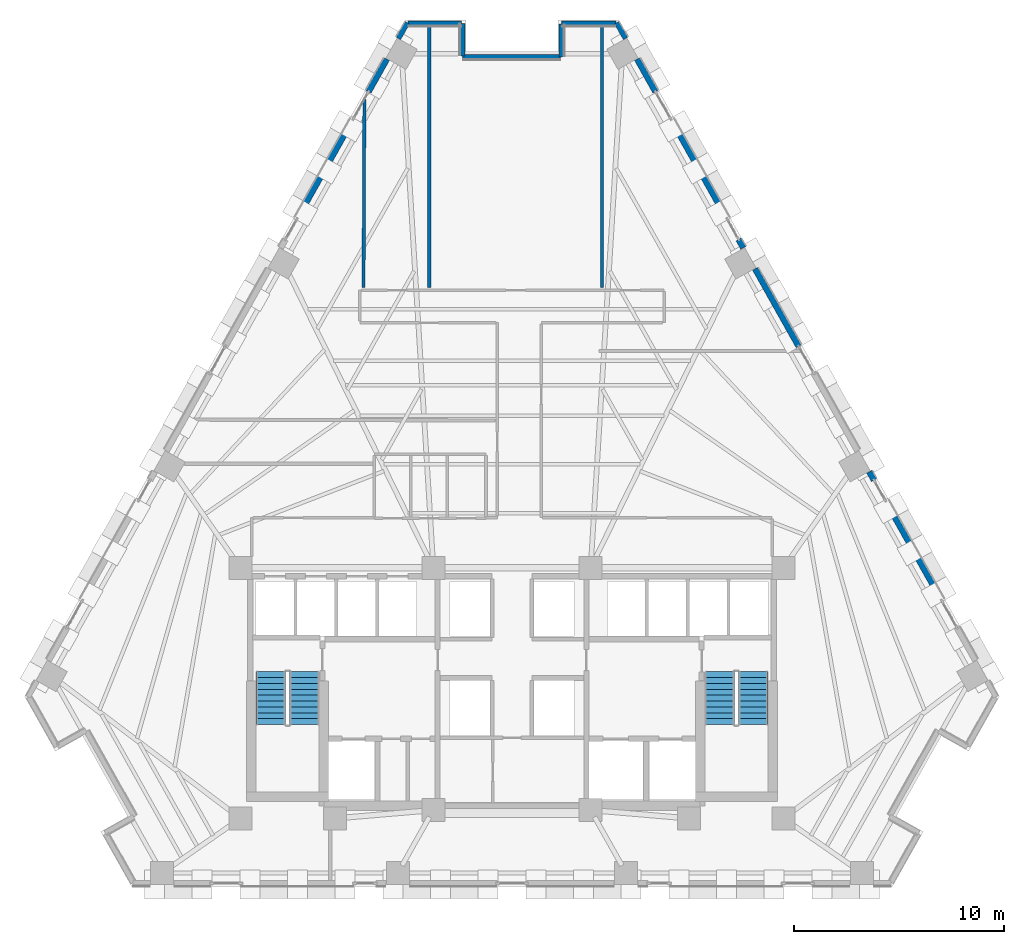
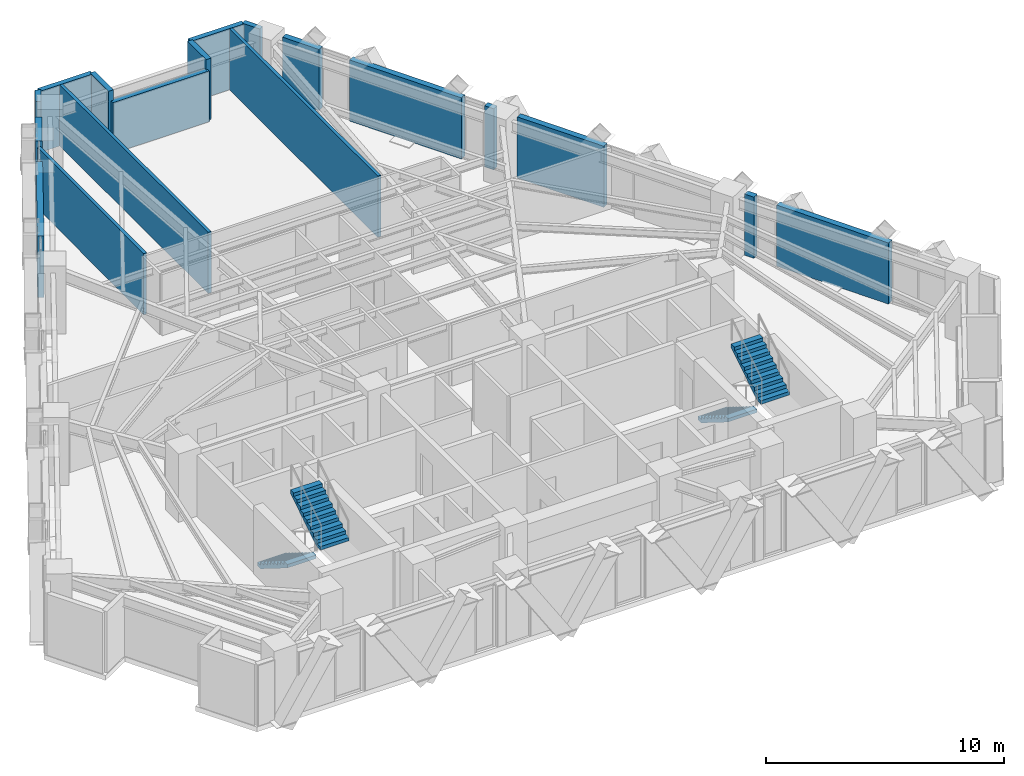
# One storey, part 9 of 13: 18 walls, 4 stair flights, 2 elements without a shape of their own.
"""IFC4 building model written with IfcOpenShell, lengths in metres."""

from ifc_helpers import new_model, si_unit, direction, frame, frame_2d, origin, place, context, subcontext, project, spatial, polyline, rectangle, outline, extrude, material, layer, layer_set, type_object, element, aggregate, save


model = new_model("IFC4")

# Units and contexts
model_context = context("Model", 3, precision=1e-05, world=origin(), true_north=direction((0.0, 1.0)))
body_context = subcontext(model_context, "Body", "Model", "MODEL_VIEW")
ifc_project = project(units=[si_unit("LENGTHUNIT", "METRE"), si_unit("AREAUNIT", "SQUARE_METRE"), si_unit("VOLUMEUNIT", "CUBIC_METRE"), si_unit("PLANEANGLEUNIT", "RADIAN"), si_unit("MASSUNIT", "GRAM", prefix="KILO")], contexts=[model_context])

# Site, building, storey
site_placement = place(None, origin())
site = spatial("IfcSite", under=ifc_project, at=site_placement, CompositionType="ELEMENT")
building_placement = place(site_placement, origin())
building = spatial("IfcBuilding", under=site, at=building_placement, Name="Quenlor Broadcast Tower", CompositionType="ELEMENT")
storey_placement = place(building_placement, frame((0.0, 0.0, 87.10009765625)))
storey = spatial("IfcBuildingStorey", under=building, at=storey_placement, Name="L23", CompositionType="ELEMENT", Elevation=87.10009765625)

# Walls
ifc_material_1 = material(Name="Acoustic Double Stud Gypsum Partition", Category="other")
ifc_layer_1 = layer(ifc_material_1, 0.14990234375)
ifc_layer_set_1 = layer_set([ifc_layer_1], Name="Broadcast Studio Acoustic Partition 150")
wall_type_1 = type_object("IfcWallType", Name="Broadcast Studio Acoustic Partition 150", PredefinedType="PARTITIONING", material=ifc_layer_set_1)
for number, where, z_axis, x_axis, name in (
    (1, (-3.945068359375, 8.56005859375, 0.0), (0.0, 0.0, 1.0), (0.0, 1.0, 0.0), "L23 Interior Wall PW-DV-01"),
    (2, (4.294921875, 21.0458984375, 0.0), (0.0, 0.0, 1.0), (0.0, -1.0, 0.0), "L23 Interior Wall PW-DV-02"),
):
    element("IfcWall", number, at=place(storey_placement, frame(where, z_axis=z_axis, x_axis=x_axis)), inside=storey, type_object=wall_type_1, Name=name, PredefinedType="PARTITIONING", context=body_context, shape_type="SweptSolid", body=[
        extrude(rectangle(XDim=12.48583984375, YDim=0.14990234375, at=frame_2d((6.242919921875, 0.0))), origin(), (0.0, 0.0, 1.0), 3.139892578125),
    ])
wall_1_placement = place(storey_placement, frame((-7.079345703125, 8.56005859375, 0.0), z_axis=(0.0, 0.0, 1.0), x_axis=(0.004459021985, 0.999990058512, 0.0)))
element("IfcWall", 3, at=wall_1_placement, inside=storey, type_object=wall_type_1, Name="L23 Interior Wall PW-DV-03", PredefinedType="PARTITIONING", context=body_context, shape_type="SweptSolid", body=[
    extrude(rectangle(XDim=8.979248046875, YDim=0.14990234375, at=frame_2d((4.48974609375, 0.0))), origin(), (0.0, 0.0, 1.0), 3.139892578125),
])
ifc_material_2 = material(Name="Precast concrete C40/50", Category="concrete")
ifc_layer_2 = layer(ifc_material_2, 0.239990234375)
ifc_layer_set_2 = layer_set([ifc_layer_2], Name="Terrace Threshold Precast Concrete C40/50 Wall 240")
wall_type_2 = type_object("IfcWallType", Name="Terrace Threshold Precast Concrete C40/50 Wall 240", PredefinedType="STANDARD", material=ifc_layer_set_2)
for number, where, z_axis, x_axis, name in (
    (4, (4.992919921875, 21.197265625, 0.0), (0.0, 0.0, 1.0), (0.490355003566, -0.871522788272, 0.0), "L23 Exterior Wall L23-SHD-NES0"),
    (5, (-5.417236328125, 20.443115234375, 0.0), (0.0, 0.0, 1.0), (0.490355003566, 0.871522788272, 0.0), "L23 Exterior Wall L23-SHD-NWS1"),
):
    element("IfcWall", number, at=place(storey_placement, frame(where, z_axis=z_axis, x_axis=x_axis)), inside=storey, type_object=wall_type_2, Name=name, PredefinedType="STANDARD", context=body_context, shape_type="SweptSolid", body=[
        extrude(rectangle(XDim=0.865234375, YDim=0.239990234375, at=frame_2d((0.4326171875, 0.0))), origin(), (0.0, 0.0, 1.0), 3.139892578125),
    ])
wall_2_placement = place(storey_placement, frame((4.95947265625, 21.16796875, 0.0), z_axis=(0.0, 0.0, 1.0), x_axis=(-1.0, 0.0, 0.0)))
element("IfcWall", 6, at=wall_2_placement, inside=storey, type_object=wall_type_2, Name="L23 Exterior Wall L23-CNR-06", PredefinedType="STANDARD", context=body_context, shape_type="SweptSolid", body=[
    extrude(rectangle(XDim=2.599365234375, YDim=0.239990234375, at=frame_2d((1.2998046875, 0.0))), origin(), (0.0, 0.0, 1.0), 3.139892578125),
])
wall_3_placement = place(storey_placement, frame((2.360107421875, 21.1279296875, 0.0), z_axis=(0.0, 0.0, 1.0), x_axis=(0.0, -1.0, 0.0)))
element("IfcWall", 7, at=wall_3_placement, inside=storey, type_object=wall_type_2, Name="L23 Exterior Wall L23-CNR-07", PredefinedType="STANDARD", context=body_context, shape_type="SweptSolid", body=[
    extrude(rectangle(XDim=1.559814453125, YDim=0.239990234375, at=frame_2d((0.77978515625, 0.0))), origin(), (0.0, 0.0, 1.0), 3.139892578125),
])
wall_4_placement = place(storey_placement, frame((2.320068359375, 19.568115234375, 0.0), z_axis=(0.0, 0.0, 1.0), x_axis=(-1.0, 0.0, 0.0)))
element("IfcWall", 8, at=wall_4_placement, inside=storey, type_object=wall_type_2, Name="L23 Exterior Wall L23-CNR-08", PredefinedType="STANDARD", context=body_context, shape_type="SweptSolid", body=[
    extrude(rectangle(XDim=4.68017578125, YDim=0.239990234375, at=frame_2d((2.340087890625, 0.0))), origin(), (0.0, 0.0, 1.0), 2.61181640625),
])
wall_5_placement = place(storey_placement, frame((-2.360107421875, 19.60791015625, 0.0), z_axis=(0.0, 0.0, 1.0), x_axis=(0.0, 1.0, 0.0)))
element("IfcWall", 9, at=wall_5_placement, inside=storey, type_object=wall_type_2, Name="L23 Exterior Wall L23-CNR-09", PredefinedType="STANDARD", context=body_context, shape_type="SweptSolid", body=[
    extrude(rectangle(XDim=1.56005859375, YDim=0.239990234375, at=frame_2d((0.780029296875, 0.0))), origin(), (0.0, 0.0, 1.0), 3.139892578125),
])
wall_6_placement = place(storey_placement, frame((-2.39990234375, 21.16796875, 0.0), z_axis=(0.0, 0.0, 1.0), x_axis=(-1.0, 0.0, 0.0)))
element("IfcWall", 10, at=wall_6_placement, inside=storey, type_object=wall_type_2, Name="L23 Exterior Wall L23-CNR-10", PredefinedType="STANDARD", context=body_context, shape_type="SweptSolid", body=[
    extrude(rectangle(XDim=2.5595703125, YDim=0.239990234375, at=frame_2d((1.27978515625, 0.0))), origin(), (0.0, 0.0, 1.0), 3.139892578125),
])
ifc_material_3 = material(Name="Precast concrete C40/50", Category="concrete")
ifc_layer_3 = layer(ifc_material_3, 0.280029296875)
ifc_layer_set_3 = layer_set([ifc_layer_3], Name="Terracotta Precast Concrete C40/50 Facade Wall 280")
wall_type_3 = type_object("IfcWallType", Name="Terracotta Precast Concrete C40/50 Facade Wall 280", PredefinedType="STANDARD", material=ifc_layer_set_3)
wall_7_placement = place(storey_placement, frame((5.97119140625, 19.458251953125, 0.0), z_axis=(0.0, 0.0, 1.0), x_axis=(0.490248214463, -0.871582863654, 0.0)))
element("IfcWall", 11, at=wall_7_placement, inside=storey, type_object=wall_type_3, Name="L23 Exterior Wall L23-NEA-SP1", PredefinedType="STANDARD", context=body_context, shape_type="SweptSolid", body=[
    extrude(rectangle(XDim=1.77978515625, YDim=0.280029296875, at=frame_2d((0.889892578125, 0.0))), origin(), (0.0, 0.0, 1.0), 3.139892578125),
])
wall_8_placement = place(storey_placement, frame((7.574951171875, 16.607177734375, 0.0), z_axis=(0.0, 0.0, 1.0), x_axis=(0.490240051056, -0.87158745536, 0.0)))
element("IfcWall", 12, at=wall_8_placement, inside=storey, type_object=wall_type_3, Name="L23 Exterior Wall L23-NEA-SP2", PredefinedType="STANDARD", context=body_context, shape_type="SweptSolid", body=[
    extrude(rectangle(XDim=5.470458984375, YDim=0.280029296875, at=frame_2d((2.7353515625, 0.0))), origin(), (0.0, 0.0, 1.0), 3.139892578125),
])
for number, where, z_axis, x_axis, name in (
    (13, (10.806396484375, 10.862060546875, 0.0), (0.0, 0.0, 1.0), (0.490412424957, -0.871490478116, 0.0), "L23 Exterior Wall L23-NEA-SP3"),
    (14, (17.0390625, -0.218017578125, 0.0), (0.0, 0.0, 1.0), (0.490009165718, -0.871717280724, 0.0), "L23 Exterior Wall L23-NEC-SP1"),
):
    element("IfcWall", number, at=place(storey_placement, frame(where, z_axis=z_axis, x_axis=x_axis)), inside=storey, type_object=wall_type_3, Name=name, PredefinedType="STANDARD", context=body_context, shape_type="SweptSolid", body=[
        extrude(rectangle(XDim=0.4599609375, YDim=0.280029296875, at=frame_2d((0.22998046875, 0.0))), origin(), (0.0, 0.0, 1.0), 3.139892578125),
    ])
wall_9_placement = place(storey_placement, frame((17.814208984375, -1.595947265625, 0.0), z_axis=(0.0, 0.0, 1.0), x_axis=(0.490240051056, -0.87158745536, 0.0)))
element("IfcWall", 15, at=wall_9_placement, inside=storey, type_object=wall_type_3, Name="L23 Exterior Wall L23-NEC-SP2", PredefinedType="STANDARD", context=body_context, shape_type="SweptSolid", body=[
    extrude(rectangle(XDim=5.470458984375, YDim=0.280029296875, at=frame_2d((2.7353515625, 0.0))), origin(), (0.0, 0.0, 1.0), 3.139892578125),
])
wall_10_placement = place(storey_placement, frame((11.59326171875, 9.463134765625, 0.0), z_axis=(0.0, 0.0, 1.0), x_axis=(0.490280395622, -0.871564761603, 0.0)))
element("IfcWall", 16, at=wall_10_placement, inside=storey, type_object=wall_type_3, Name="L23 Exterior Wall L23-NE-SP1", PredefinedType="STANDARD", context=body_context, shape_type="SweptSolid", body=[
    extrude(rectangle(XDim=4.235595703125, YDim=0.280029296875, at=frame_2d((2.11767578125, 0.0))), origin(), (0.0, 0.0, 1.0), 3.139892578125),
])
wall_11_placement = place(storey_placement, frame((-10.2568359375, 11.839111328125, 0.0), z_axis=(0.0, 0.0, 1.0), x_axis=(0.490240051056, 0.87158745536, 0.0)))
element("IfcWall", 17, at=wall_11_placement, inside=storey, type_object=wall_type_3, Name="L23 Exterior Wall L23-NWC-SP2", PredefinedType="STANDARD", context=body_context, shape_type="SweptSolid", body=[
    extrude(rectangle(XDim=5.470458984375, YDim=0.280029296875, at=frame_2d((2.7353515625, 0.0))), origin(), (0.0, 0.0, 1.0), 3.139892578125),
])
wall_12_placement = place(storey_placement, frame((-6.84375, 17.906982421875, 0.0), z_axis=(0.0, 0.0, 1.0), x_axis=(0.490248214463, 0.871582863654, 0.0)))
element("IfcWall", 18, at=wall_12_placement, inside=storey, type_object=wall_type_3, Name="L23 Exterior Wall L23-NWC-SP3", PredefinedType="STANDARD", context=body_context, shape_type="SweptSolid", body=[
    extrude(rectangle(XDim=1.77978515625, YDim=0.280029296875, at=frame_2d((0.889892578125, 0.0))), origin(), (0.0, 0.0, 1.0), 3.139892578125),
])

# Stair, stair flights
ifc_material_4 = material(Name="Precast concrete C40/50", Category="concrete")
stair_type = type_object("IfcStairType", Name="Precast Concrete C40/50 Dogleg Stair H350", PredefinedType="HALF_TURN_STAIR", material=ifc_material_4)
stair_1_placement = place(storey_placement, origin())
stair_1 = element("IfcStair", 19, at=stair_1_placement, inside=storey, type_object=stair_type, Name="L23 West Core Fire-Isolated Exit Stair ST-1", PredefinedType="HALF_TURN_STAIR")
ifc_material_5 = material(Name="Precast concrete C40/50", Category="concrete")
ifc_layer_4 = layer(ifc_material_5, 0.159912109375)
ifc_layer_set_4 = layer_set([ifc_layer_4], Name="Precast Concrete C40/50 Stair Flight H350")
stair_flight_type = type_object("IfcStairFlightType", Name="Precast Concrete C40/50 Stair Flight H350", PredefinedType="STRAIGHT", material=ifc_layer_set_4)
stair_flight_1_placement = place(storey_placement, frame((-11.5, -9.75, 0.0), z_axis=(0.0, 0.0, 1.0), x_axis=(0.0, -1.0, 0.0)))
stair_flight_1 = element("IfcStairFlight", 20, at=stair_flight_1_placement, type_object=stair_flight_type, Name="ST-1 flight 1", NumberOfRisers=10, NumberOfTreads=9, PredefinedType="STRAIGHT", RiserHeight=0.175, TreadLength=0.28, context=body_context, shape_type="SweptSolid", body=[
    extrude(outline(polyline([(0.0, 0.0), (0.0, 0.175048828125), (0.280029296875, 0.175048828125), (0.280029296875, 0.35009765625), (0.56005859375, 0.35009765625), (0.56005859375, 0.52490234375), (0.840087890625, 0.52490234375), (0.840087890625, 0.699951171875), (1.1201171875, 0.699951171875), (1.1201171875, 0.875), (1.39990234375, 0.875), (1.39990234375, 1.050048828125), (1.679931640625, 1.050048828125), (1.679931640625, 1.22509765625), (1.9599609375, 1.22509765625), (1.9599609375, 1.39990234375), (2.239990234375, 1.39990234375), (2.239990234375, 1.574951171875), (2.52001953125, 1.574951171875), (2.52001953125, 1.75), (2.52001953125, 1.398193359375), (0.28271484375, 0.0), (0.0, 0.0)])), frame((0.0, 0.699951171875, 0.0), z_axis=(0.0, -1.0, 0.0), x_axis=(1.0, 0.0, 0.0)), (0.0, 0.0, 1.0), 1.39990234375),
])
stair_flight_2_placement = place(storey_placement, frame((-9.89990234375, -12.27001953125, 1.75), z_axis=(0.0, 0.0, 1.0), x_axis=(0.0, 1.0, 0.0)))
stair_flight_2 = element("IfcStairFlight", 21, at=stair_flight_2_placement, type_object=stair_flight_type, Name="ST-1 flight 2", NumberOfRisers=10, NumberOfTreads=9, PredefinedType="STRAIGHT", RiserHeight=0.175, TreadLength=0.28, context=body_context, shape_type="SweptSolid", body=[
    extrude(outline(polyline([(0.0, 0.0), (0.0, 0.175048828125), (0.280029296875, 0.175048828125), (0.280029296875, 0.35009765625), (0.56005859375, 0.35009765625), (0.56005859375, 0.52490234375), (0.840087890625, 0.52490234375), (0.840087890625, 0.699951171875), (1.1201171875, 0.699951171875), (1.1201171875, 0.875), (1.39990234375, 0.875), (1.39990234375, 1.050048828125), (1.679931640625, 1.050048828125), (1.679931640625, 1.22509765625), (1.9599609375, 1.22509765625), (1.9599609375, 1.39990234375), (2.239990234375, 1.39990234375), (2.239990234375, 1.574951171875), (2.52001953125, 1.574951171875), (2.52001953125, 1.75), (2.52001953125, 1.398193359375), (0.28271484375, 0.0), (0.0, 0.0)])), frame((0.0, 0.699951171875, 0.0), z_axis=(0.0, -1.0, 0.0), x_axis=(1.0, 0.0, 0.0)), (0.0, 0.0, 1.0), 1.39990234375),
])
aggregate(stair_1, [stair_flight_1, stair_flight_2])

stair_2_placement = place(storey_placement, origin())
stair_2 = element("IfcStair", 22, at=stair_2_placement, inside=storey, type_object=stair_type, Name="L23 East Core Fire-Isolated Exit Stair ST-2", PredefinedType="HALF_TURN_STAIR")
stair_flight_3_placement = place(storey_placement, frame((9.89990234375, -9.75, 0.0), z_axis=(0.0, 0.0, 1.0), x_axis=(0.0, -1.0, 0.0)))
stair_flight_3 = element("IfcStairFlight", 23, at=stair_flight_3_placement, type_object=stair_flight_type, Name="ST-2 flight 1", NumberOfRisers=10, NumberOfTreads=9, PredefinedType="STRAIGHT", RiserHeight=0.175, TreadLength=0.28, context=body_context, shape_type="SweptSolid", body=[
    extrude(outline(polyline([(0.0, 0.0), (0.0, 0.175048828125), (0.280029296875, 0.175048828125), (0.280029296875, 0.35009765625), (0.56005859375, 0.35009765625), (0.56005859375, 0.52490234375), (0.840087890625, 0.52490234375), (0.840087890625, 0.699951171875), (1.1201171875, 0.699951171875), (1.1201171875, 0.875), (1.39990234375, 0.875), (1.39990234375, 1.050048828125), (1.679931640625, 1.050048828125), (1.679931640625, 1.22509765625), (1.9599609375, 1.22509765625), (1.9599609375, 1.39990234375), (2.239990234375, 1.39990234375), (2.239990234375, 1.574951171875), (2.52001953125, 1.574951171875), (2.52001953125, 1.75), (2.52001953125, 1.398193359375), (0.28271484375, 0.0), (0.0, 0.0)])), frame((0.0, 0.699951171875, 0.0), z_axis=(0.0, -1.0, 0.0), x_axis=(1.0, 0.0, 0.0)), (0.0, 0.0, 1.0), 1.39990234375),
])
stair_flight_4_placement = place(storey_placement, frame((11.5, -12.27001953125, 1.75), z_axis=(0.0, 0.0, 1.0), x_axis=(0.0, 1.0, 0.0)))
stair_flight_4 = element("IfcStairFlight", 24, at=stair_flight_4_placement, type_object=stair_flight_type, Name="ST-2 flight 2", NumberOfRisers=10, NumberOfTreads=9, PredefinedType="STRAIGHT", RiserHeight=0.175, TreadLength=0.28, context=body_context, shape_type="SweptSolid", body=[
    extrude(outline(polyline([(0.0, 0.0), (0.0, 0.175048828125), (0.280029296875, 0.175048828125), (0.280029296875, 0.35009765625), (0.56005859375, 0.35009765625), (0.56005859375, 0.52490234375), (0.840087890625, 0.52490234375), (0.840087890625, 0.699951171875), (1.1201171875, 0.699951171875), (1.1201171875, 0.875), (1.39990234375, 0.875), (1.39990234375, 1.050048828125), (1.679931640625, 1.050048828125), (1.679931640625, 1.22509765625), (1.9599609375, 1.22509765625), (1.9599609375, 1.39990234375), (2.239990234375, 1.39990234375), (2.239990234375, 1.574951171875), (2.52001953125, 1.574951171875), (2.52001953125, 1.75), (2.52001953125, 1.398193359375), (0.28271484375, 0.0), (0.0, 0.0)])), frame((0.0, 0.699951171875, 0.0), z_axis=(0.0, -1.0, 0.0), x_axis=(1.0, 0.0, 0.0)), (0.0, 0.0, 1.0), 1.39990234375),
])
aggregate(stair_2, [stair_flight_3, stair_flight_4])

save(model, "model.ifc")
